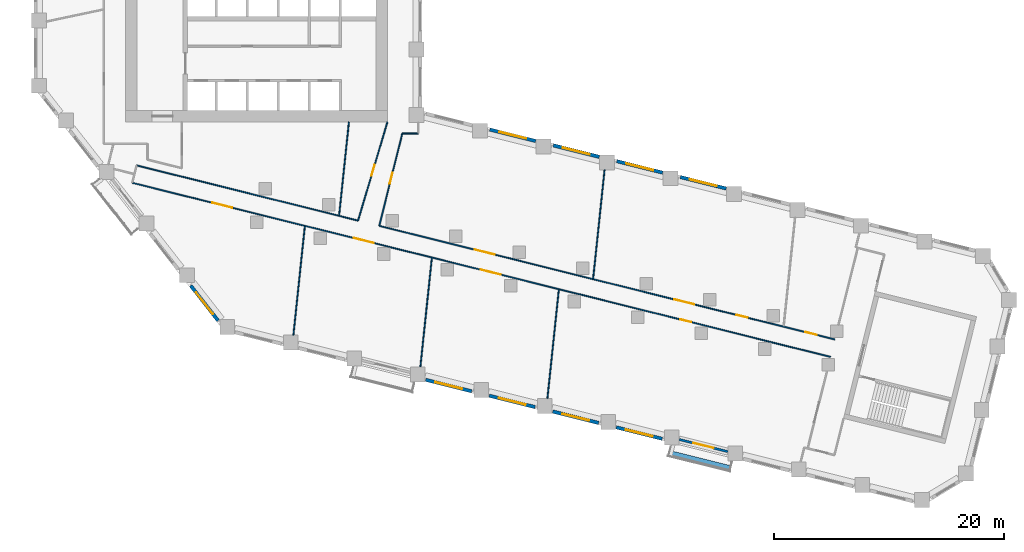
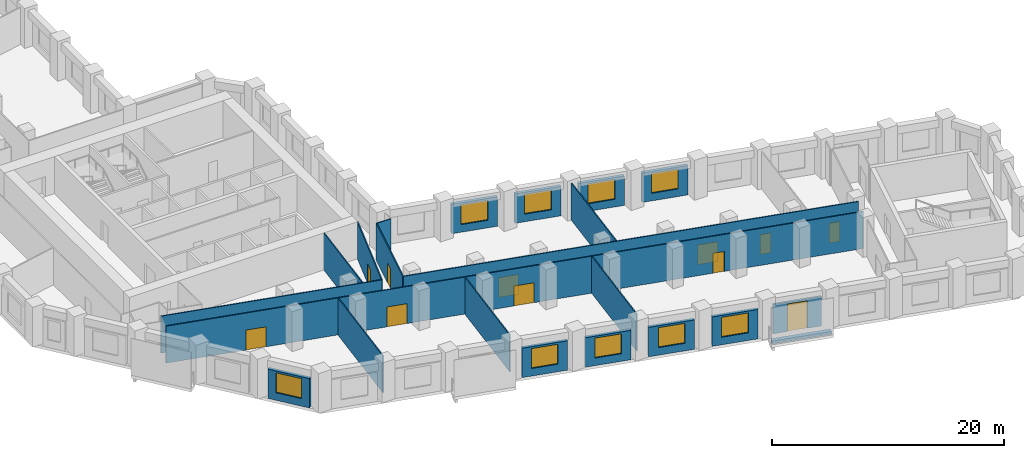
# One storey, part 3 of 11: 22 walls, 11 doors, 9 windows, 20 openings.
"""IFC4 building model written with IfcOpenShell, lengths in metres."""

from ifc_helpers import new_model, si_unit, direction, frame, frame_2d, origin, place, context, subcontext, project, spatial, rectangle, extrude, material, layer, layer_set, type_object, element, fill, save


model = new_model("IFC4")

# Units and contexts
model_context = context("Model", 3, precision=1e-05, world=origin(), true_north=direction((0.0, 1.0)))
body_context = subcontext(model_context, "Body", "Model", "MODEL_VIEW")
ifc_project = project(units=[si_unit("LENGTHUNIT", "METRE"), si_unit("AREAUNIT", "SQUARE_METRE"), si_unit("VOLUMEUNIT", "CUBIC_METRE"), si_unit("PLANEANGLEUNIT", "RADIAN"), si_unit("MASSUNIT", "GRAM", prefix="KILO")], contexts=[model_context])

# Site, building, storey
site_placement = place(None, origin())
site = spatial("IfcSite", under=ifc_project, at=site_placement, CompositionType="ELEMENT")
building_placement = place(site_placement, origin())
building = spatial("IfcBuilding", under=site, at=building_placement, Name="Meshkara Civic Tower", CompositionType="ELEMENT")
storey_placement = place(building_placement, frame((0.0, 0.0, 143.39990234375)))
storey = spatial("IfcBuildingStorey", under=building, at=storey_placement, Name="L32", CompositionType="ELEMENT", Elevation=143.39990234375)

# Wall, openings, doors
ifc_material_1 = material(Name="Corridor wall 100")
ifc_layer_1 = layer(ifc_material_1, 0.10009765625)
ifc_layer_set_1 = layer_set([ifc_layer_1], Name="Corridor wall 100")
wall_type_1 = type_object("IfcWallType", Name="Corridor wall 100", PredefinedType="PARTITIONING", material=ifc_layer_set_1)
wall_1_placement = place(storey_placement, frame((8.5791015625, 8.802978515625, 0.0), z_axis=(0.0, 0.0, 1.0), x_axis=(0.970298569476, -0.241910491863, 0.0)))
wall_1 = element("IfcWall", 1, at=wall_1_placement, inside=storey, type_object=wall_type_1, Name="L32-W006", PredefinedType="PARTITIONING", context=body_context, shape_type="SweptSolid", body=[
    extrude(rectangle(XDim=62.675537109375, YDim=0.10009765625, at=frame_2d((31.337890625, 0.0))), origin(), (0.0, 0.0, 1.0), 3.900146484375),
])
opening_1_placement = place(wall_1_placement, frame((49.173095703125, 0.0, 0.0)))
opening_1 = element("IfcOpeningElement", 2, at=opening_1_placement, cuts=wall_1, Name="Opening L32-D004", PredefinedType="OPENING", context=body_context, shape_type="SweptSolid", body=[
    extrude(rectangle(XDim=1.0, YDim=2.10009765625, at=frame_2d((0.5, 1.050048828125))), frame((0.0, 0.06005859375, 0.0), z_axis=(0.0, -1.0, 0.0), x_axis=(1.0, 0.0, 0.0)), (0.0, 0.0, 1.0), 0.1201171875),
])
opening_2_placement = place(wall_1_placement, frame((19.873046875, 0.0, 0.0)))
opening_2 = element("IfcOpeningElement", 3, at=opening_2_placement, cuts=wall_1, Name="Opening L32-D007", PredefinedType="OPENING", context=body_context, shape_type="SweptSolid", body=[
    extrude(rectangle(XDim=1.800048828125, YDim=2.10009765625, at=frame_2d((0.89990234375, 1.050048828125))), frame((0.0, 0.06005859375, 0.0), z_axis=(0.0, -1.0, 0.0), x_axis=(1.0, 0.0, 0.0)), (0.0, 0.0, 1.0), 0.1201171875),
])
opening_3_placement = place(wall_1_placement, frame((31.27294921875, 0.0, 0.0)))
opening_3 = element("IfcOpeningElement", 4, at=opening_3_placement, cuts=wall_1, Name="Opening L32-D009", PredefinedType="OPENING", context=body_context, shape_type="SweptSolid", body=[
    extrude(rectangle(XDim=1.800048828125, YDim=2.10009765625, at=frame_2d((0.89990234375, 1.050048828125))), frame((0.0, 0.06005859375, 0.0), z_axis=(0.0, -1.0, 0.0), x_axis=(1.0, 0.0, 0.0)), (0.0, 0.0, 1.0), 0.1201171875),
])
opening_4_placement = place(wall_1_placement, frame((7.179931640625, 0.0, 0.0)))
opening_4 = element("IfcOpeningElement", 5, at=opening_4_placement, cuts=wall_1, Name="Opening L32-D011", PredefinedType="OPENING", context=body_context, shape_type="SweptSolid", body=[
    extrude(rectangle(XDim=1.800048828125, YDim=2.10009765625, at=frame_2d((0.89990234375, 1.050048828125))), frame((0.0, 0.06005859375, 0.0), z_axis=(0.0, -1.0, 0.0), x_axis=(1.0, 0.0, 0.0)), (0.0, 0.0, 1.0), 0.1201171875),
])
ifc_material_2 = material(Name="Door 1000 x 2100")
door_type_1 = type_object("IfcDoorType", Name="Door 1000 x 2100", OperationType="SINGLE_SWING_LEFT", PredefinedType="DOOR", material=ifc_material_2)
door_1_placement = place(opening_1_placement, origin())
door_1 = element("IfcDoor", 6, at=door_1_placement, inside=storey, type_object=door_type_1, Name="L32-D004", OperationType="SINGLE_SWING_RIGHT", OverallHeight=2.10009765625, OverallWidth=1.0, PredefinedType="DOOR", context=body_context, shape_type="SweptSolid", body=[
    extrude(rectangle(XDim=1.0, YDim=2.10009765625, at=frame_2d((0.5, 1.050048828125))), frame((0.0, 0.02490234375, 0.0), z_axis=(0.0, -1.0, 0.0), x_axis=(1.0, 0.0, 0.0)), (0.0, 0.0, 1.0), 0.050048828125),
])
fill(opening_1, door_1)
ifc_material_3 = material(Name="Door pair 1800 x 2100")
door_type_2 = type_object("IfcDoorType", Name="Door pair 1800 x 2100", OperationType="SINGLE_SWING_LEFT", PredefinedType="DOOR", material=ifc_material_3)
door_2_placement = place(opening_2_placement, origin())
door_2 = element("IfcDoor", 7, at=door_2_placement, inside=storey, type_object=door_type_2, Name="L32-D007", OperationType="DOUBLE_DOOR_SINGLE_SWING", OverallHeight=2.10009765625, OverallWidth=1.800048828125, PredefinedType="DOOR", context=body_context, shape_type="SweptSolid", body=[
    extrude(rectangle(XDim=1.800048828125, YDim=2.10009765625, at=frame_2d((0.89990234375, 1.050048828125))), frame((0.0, 0.02490234375, 0.0), z_axis=(0.0, -1.0, 0.0), x_axis=(1.0, 0.0, 0.0)), (0.0, 0.0, 1.0), 0.050048828125),
])
fill(opening_2, door_2)
door_3_placement = place(opening_3_placement, origin())
door_3 = element("IfcDoor", 8, at=door_3_placement, inside=storey, type_object=door_type_2, Name="L32-D009", OperationType="DOUBLE_DOOR_SINGLE_SWING", OverallHeight=2.10009765625, OverallWidth=1.800048828125, PredefinedType="DOOR", context=body_context, shape_type="SweptSolid", body=[
    extrude(rectangle(XDim=1.800048828125, YDim=2.10009765625, at=frame_2d((0.89990234375, 1.050048828125))), frame((0.0, 0.02490234375, 0.0), z_axis=(0.0, -1.0, 0.0), x_axis=(1.0, 0.0, 0.0)), (0.0, 0.0, 1.0), 0.050048828125),
])
fill(opening_3, door_3)
door_4_placement = place(opening_4_placement, origin())
door_4 = element("IfcDoor", 9, at=door_4_placement, inside=storey, type_object=door_type_2, Name="L32-D011", OperationType="DOUBLE_DOOR_SINGLE_SWING", OverallHeight=2.10009765625, OverallWidth=1.800048828125, PredefinedType="DOOR", context=body_context, shape_type="SweptSolid", body=[
    extrude(rectangle(XDim=1.800048828125, YDim=2.10009765625, at=frame_2d((0.89990234375, 1.050048828125))), frame((0.0, 0.02490234375, 0.0), z_axis=(0.0, -1.0, 0.0), x_axis=(1.0, 0.0, 0.0)), (0.0, 0.0, 1.0), 0.050048828125),
])
fill(opening_4, door_4)

# Wall
wall_2_placement = place(storey_placement, frame((8.9580078125, 10.322998046875, 0.0), z_axis=(0.0, 0.0, 1.0), x_axis=(0.970298340477, -0.241911410372, 0.0)))
element("IfcWall", 10, at=wall_2_placement, inside=storey, type_object=wall_type_1, Name="L32-W007", PredefinedType="PARTITIONING", context=body_context, shape_type="SweptSolid", body=[
    extrude(rectangle(XDim=19.879638671875, YDim=0.10009765625, at=frame_2d((9.93994140625, 0.0))), origin(), (0.0, 0.0, 1.0), 3.900146484375),
])

# Wall, openings, doors
wall_3_placement = place(storey_placement, frame((30.091064453125, 5.053955078125, 0.0), z_axis=(0.0, 0.0, 1.0), x_axis=(0.970297171036, -0.24191610091, 0.0)))
wall_3 = element("IfcWall", 11, at=wall_3_placement, inside=storey, type_object=wall_type_1, Name="L32-W020", PredefinedType="PARTITIONING", context=body_context, shape_type="SweptSolid", body=[
    extrude(rectangle(XDim=40.89453125, YDim=0.10009765625, at=frame_2d((20.447265625, 0.0))), origin(), (0.0, 0.0, 1.0), 3.900146484375),
])
opening_5_placement = place(wall_3_placement, frame((26.462890625, 0.0, 0.0)))
opening_5 = element("IfcOpeningElement", 12, at=opening_5_placement, cuts=wall_3, Name="Opening L32-D003", PredefinedType="OPENING", context=body_context, shape_type="SweptSolid", body=[
    extrude(rectangle(XDim=1.800048828125, YDim=2.10009765625, at=frame_2d((0.89990234375, 1.050048828125))), frame((0.0, 0.06005859375, 0.0), z_axis=(0.0, -1.0, 0.0), x_axis=(1.0, 0.0, 0.0)), (0.0, 0.0, 1.0), 0.1201171875),
])
opening_6_placement = place(wall_3_placement, frame((32.06298828125, 0.0, 0.0)))
opening_6 = element("IfcOpeningElement", 13, at=opening_6_placement, cuts=wall_3, Name="Opening L32-D005", PredefinedType="OPENING", context=body_context, shape_type="SweptSolid", body=[
    extrude(rectangle(XDim=1.0, YDim=2.10009765625, at=frame_2d((0.5, 1.050048828125))), frame((0.0, 0.06005859375, 0.0), z_axis=(0.0, -1.0, 0.0), x_axis=(1.0, 0.0, 0.0)), (0.0, 0.0, 1.0), 0.1201171875),
])
opening_7_placement = place(wall_3_placement, frame((38.262939453125, 0.0, 0.0)))
opening_7 = element("IfcOpeningElement", 14, at=opening_7_placement, cuts=wall_3, Name="Opening L32-D006", PredefinedType="OPENING", context=body_context, shape_type="SweptSolid", body=[
    extrude(rectangle(XDim=1.0, YDim=2.10009765625, at=frame_2d((0.5, 1.050048828125))), frame((0.0, 0.06005859375, 0.0), z_axis=(0.0, -1.0, 0.0), x_axis=(1.0, 0.0, 0.0)), (0.0, 0.0, 1.0), 0.1201171875),
])
opening_8_placement = place(wall_3_placement, frame((8.580078125, 0.0, 0.0)))
opening_8 = element("IfcOpeningElement", 15, at=opening_8_placement, cuts=wall_3, Name="Opening L32-D008", PredefinedType="OPENING", context=body_context, shape_type="SweptSolid", body=[
    extrude(rectangle(XDim=1.800048828125, YDim=2.10009765625, at=frame_2d((0.89990234375, 1.050048828125))), frame((0.0, 0.06005859375, 0.0), z_axis=(0.0, -1.0, 0.0), x_axis=(1.0, 0.0, 0.0)), (0.0, 0.0, 1.0), 0.1201171875),
])
door_5_placement = place(opening_6_placement, origin())
door_5 = element("IfcDoor", 16, at=door_5_placement, inside=storey, type_object=door_type_1, Name="L32-D005", OperationType="SINGLE_SWING_RIGHT", OverallHeight=2.10009765625, OverallWidth=1.0, PredefinedType="DOOR", context=body_context, shape_type="SweptSolid", body=[
    extrude(rectangle(XDim=1.0, YDim=2.10009765625, at=frame_2d((0.5, 1.050048828125))), frame((0.0, 0.02490234375, 0.0), z_axis=(0.0, -1.0, 0.0), x_axis=(1.0, 0.0, 0.0)), (0.0, 0.0, 1.0), 0.050048828125),
])
fill(opening_6, door_5)
door_6_placement = place(opening_7_placement, origin())
door_6 = element("IfcDoor", 17, at=door_6_placement, inside=storey, type_object=door_type_1, Name="L32-D006", OperationType="SINGLE_SWING_RIGHT", OverallHeight=2.10009765625, OverallWidth=1.0, PredefinedType="DOOR", context=body_context, shape_type="SweptSolid", body=[
    extrude(rectangle(XDim=1.0, YDim=2.10009765625, at=frame_2d((0.5, 1.050048828125))), frame((0.0, 0.02490234375, 0.0), z_axis=(0.0, -1.0, 0.0), x_axis=(1.0, 0.0, 0.0)), (0.0, 0.0, 1.0), 0.050048828125),
])
fill(opening_7, door_6)
door_7_placement = place(opening_5_placement, origin())
door_7 = element("IfcDoor", 18, at=door_7_placement, inside=storey, type_object=door_type_2, Name="L32-D003", OperationType="DOUBLE_DOOR_SINGLE_SWING", OverallHeight=2.10009765625, OverallWidth=1.800048828125, PredefinedType="DOOR", context=body_context, shape_type="SweptSolid", body=[
    extrude(rectangle(XDim=1.800048828125, YDim=2.10009765625, at=frame_2d((0.89990234375, 1.050048828125))), frame((0.0, 0.02490234375, 0.0), z_axis=(0.0, -1.0, 0.0), x_axis=(1.0, 0.0, 0.0)), (0.0, 0.0, 1.0), 0.050048828125),
])
fill(opening_5, door_7)
door_8_placement = place(opening_8_placement, origin())
door_8 = element("IfcDoor", 19, at=door_8_placement, inside=storey, type_object=door_type_2, Name="L32-D008", OperationType="DOUBLE_DOOR_SINGLE_SWING", OverallHeight=2.10009765625, OverallWidth=1.800048828125, PredefinedType="DOOR", context=body_context, shape_type="SweptSolid", body=[
    extrude(rectangle(XDim=1.800048828125, YDim=2.10009765625, at=frame_2d((0.89990234375, 1.050048828125))), frame((0.0, 0.02490234375, 0.0), z_axis=(0.0, -1.0, 0.0), x_axis=(1.0, 0.0, 0.0)), (0.0, 0.0, 1.0), 0.050048828125),
])
fill(opening_8, door_8)

# Wall, opening, door
wall_4_placement = place(storey_placement, frame((30.091064453125, 5.053955078125, 0.0), z_axis=(0.0, 0.0, 1.0), x_axis=(0.241891322374, 0.970303348526, 0.0)))
wall_4 = element("IfcWall", 20, at=wall_4_placement, inside=storey, type_object=wall_type_1, Name="L32-W021", PredefinedType="PARTITIONING", context=body_context, shape_type="SweptSolid", body=[
    extrude(rectangle(XDim=8.29248046875, YDim=0.10009765625, at=frame_2d((4.146240234375, 0.0))), origin(), (0.0, 0.0, 1.0), 3.900146484375),
])
opening_9_placement = place(wall_4_placement, frame((3.780029296875, 0.0, 0.0)))
opening_9 = element("IfcOpeningElement", 21, at=opening_9_placement, cuts=wall_4, Name="Opening L32-D013", PredefinedType="OPENING", context=body_context, shape_type="SweptSolid", body=[
    extrude(rectangle(XDim=1.0, YDim=2.10009765625, at=frame_2d((0.5, 1.050048828125))), frame((0.0, 0.06005859375, 0.0), z_axis=(0.0, -1.0, 0.0), x_axis=(1.0, 0.0, 0.0)), (0.0, 0.0, 1.0), 0.1201171875),
])
door_9_placement = place(opening_9_placement, origin())
door_9 = element("IfcDoor", 22, at=door_9_placement, inside=storey, type_object=door_type_1, Name="L32-D013", OperationType="SINGLE_SWING_LEFT", OverallHeight=2.10009765625, OverallWidth=1.0, PredefinedType="DOOR", context=body_context, shape_type="SweptSolid", body=[
    extrude(rectangle(XDim=1.0, YDim=2.10009765625, at=frame_2d((0.5, 1.050048828125))), frame((0.0, 0.02490234375, 0.0), z_axis=(0.0, -1.0, 0.0), x_axis=(1.0, 0.0, 0.0)), (0.0, 0.0, 1.0), 0.050048828125),
])
fill(opening_9, door_9)

wall_5_placement = place(storey_placement, frame((30.800048828125, 14.10009765625, 0.0), z_axis=(0.0, 0.0, 1.0), x_axis=(-0.285004107837, -0.958526295162, 0.0)))
wall_5 = element("IfcWall", 23, at=wall_5_placement, inside=storey, type_object=wall_type_1, Name="L32-W022", PredefinedType="PARTITIONING", context=body_context, shape_type="SweptSolid", body=[
    extrude(rectangle(XDim=8.957763671875, YDim=0.10009765625, at=frame_2d((4.47900390625, 0.0))), origin(), (0.0, 0.0, 1.0), 3.900146484375),
])
opening_10_placement = place(wall_5_placement, frame((3.8798828125, 0.0, 0.0)))
opening_10 = element("IfcOpeningElement", 24, at=opening_10_placement, cuts=wall_5, Name="Opening L32-D012", PredefinedType="OPENING", context=body_context, shape_type="SweptSolid", body=[
    extrude(rectangle(XDim=1.0, YDim=2.10009765625, at=frame_2d((0.5, 1.050048828125))), frame((0.0, 0.06005859375, 0.0), z_axis=(0.0, -1.0, 0.0), x_axis=(1.0, 0.0, 0.0)), (0.0, 0.0, 1.0), 0.1201171875),
])
door_10_placement = place(opening_10_placement, origin())
door_10 = element("IfcDoor", 25, at=door_10_placement, inside=storey, type_object=door_type_1, Name="L32-D012", OperationType="SINGLE_SWING_RIGHT", OverallHeight=2.10009765625, OverallWidth=1.0, PredefinedType="DOOR", context=body_context, shape_type="SweptSolid", body=[
    extrude(rectangle(XDim=1.0, YDim=2.10009765625, at=frame_2d((0.5, 1.050048828125))), frame((0.0, 0.02490234375, 0.0), z_axis=(0.0, -1.0, 0.0), x_axis=(1.0, 0.0, 0.0)), (0.0, 0.0, 1.0), 0.050048828125),
])
fill(opening_10, door_10)

# Wall
wall_6_placement = place(storey_placement, frame((32.096923828125, 13.10009765625, 0.0), z_axis=(0.0, 0.0, 1.0), x_axis=(1.0, 0.0, 0.0)))
element("IfcWall", 26, at=wall_6_placement, inside=storey, type_object=wall_type_1, Name="L32-W023", PredefinedType="PARTITIONING", context=body_context, shape_type="SweptSolid", body=[
    extrude(rectangle(XDim=1.403076171875, YDim=0.10009765625, at=frame_2d((0.70166015625, 0.0))), origin(), (0.0, 0.0, 1.0), 3.900146484375),
])

# Wall, opening, window
ifc_material_4 = material(Name="Insulated infill panel with bronze anodised aluminium cladding", Category="aluminium")
ifc_layer_2 = layer(ifc_material_4, 0.300048828125)
ifc_layer_set_2 = layer_set([ifc_layer_2], Name="EXTERNAL INFILL WALL 300")
wall_type_2 = type_object("IfcWallType", Name="EXTERNAL INFILL WALL 300", PredefinedType="SOLIDWALL", material=ifc_layer_set_2)
wall_7_placement = place(storey_placement, frame((60.31103515625, 8.305908203125, 0.0), z_axis=(0.0, 0.0, 1.0), x_axis=(-0.970267747908, 0.242034083076, 0.0)))
wall_7 = element("IfcWall", 27, at=wall_7_placement, inside=storey, type_object=wall_type_2, Name="External wall", PredefinedType="SOLIDWALL", context=body_context, shape_type="SweptSolid", body=[
    extrude(rectangle(XDim=4.12353515625, YDim=0.300048828125, at=frame_2d((2.061767578125, 0.0))), origin(), (0.0, 0.0, 1.0), 3.10009765625),
])
opening_11_placement = place(wall_7_placement, frame((0.862060546875, 0.0, 0.800048828125)))
opening_11 = element("IfcOpeningElement", 28, at=opening_11_placement, cuts=wall_7, Name="Opening W7", PredefinedType="OPENING", context=body_context, shape_type="SweptSolid", body=[
    extrude(rectangle(XDim=2.39990234375, YDim=2.10009765625, at=frame_2d((1.199951171875, 1.050048828125))), frame((0.0, 0.159912109375, 0.0), z_axis=(0.0, -1.0, 0.0), x_axis=(1.0, 0.0, 0.0)), (0.0, 0.0, 1.0), 0.320068359375),
])
ifc_material_5 = material(Name="Tinted double glazing", Category="glass")
window_type = type_object("IfcWindowType", Name="WINDOW 2400x2100", PartitioningType="DOUBLE_PANEL_VERTICAL", PredefinedType="WINDOW", material=ifc_material_5)
window_1_placement = place(opening_11_placement, origin())
window_1 = element("IfcWindow", 29, at=window_1_placement, inside=storey, type_object=window_type, Name="Window", OverallHeight=2.10009765625, OverallWidth=2.39990234375, PartitioningType="DOUBLE_PANEL_VERTICAL", PredefinedType="WINDOW", context=body_context, shape_type="SweptSolid", body=[
    extrude(rectangle(XDim=2.39990234375, YDim=2.10009765625, at=frame_2d((1.199951171875, 1.050048828125))), frame((0.0, 0.030029296875, 0.0), z_axis=(0.0, -1.0, 0.0), x_axis=(1.0, 0.0, 0.0)), (0.0, 0.0, 1.0), 0.06005859375),
])
fill(opening_11, window_1)

wall_8_placement = place(storey_placement, frame((54.781005859375, 9.68505859375, 0.0), z_axis=(0.0, 0.0, 1.0), x_axis=(-0.970281616392, 0.241978480223, 0.0)))
wall_8 = element("IfcWall", 30, at=wall_8_placement, inside=storey, type_object=wall_type_2, Name="External wall", PredefinedType="SOLIDWALL", context=body_context, shape_type="SweptSolid", body=[
    extrude(rectangle(XDim=4.12451171875, YDim=0.300048828125, at=frame_2d((2.062255859375, 0.0))), origin(), (0.0, 0.0, 1.0), 3.10009765625),
])
opening_12_placement = place(wall_8_placement, frame((0.862060546875, 0.0, 0.800048828125)))
opening_12 = element("IfcOpeningElement", 31, at=opening_12_placement, cuts=wall_8, Name="Opening W7", PredefinedType="OPENING", context=body_context, shape_type="SweptSolid", body=[
    extrude(rectangle(XDim=2.39990234375, YDim=2.10009765625, at=frame_2d((1.199951171875, 1.050048828125))), frame((0.0, 0.159912109375, 0.0), z_axis=(0.0, -1.0, 0.0), x_axis=(1.0, 0.0, 0.0)), (0.0, 0.0, 1.0), 0.320068359375),
])
window_2_placement = place(opening_12_placement, origin())
window_2 = element("IfcWindow", 32, at=window_2_placement, inside=storey, type_object=window_type, Name="Window", OverallHeight=2.10009765625, OverallWidth=2.39990234375, PartitioningType="DOUBLE_PANEL_VERTICAL", PredefinedType="WINDOW", context=body_context, shape_type="SweptSolid", body=[
    extrude(rectangle(XDim=2.39990234375, YDim=2.10009765625, at=frame_2d((1.199951171875, 1.050048828125))), frame((0.0, 0.030029296875, 0.0), z_axis=(0.0, -1.0, 0.0), x_axis=(1.0, 0.0, 0.0)), (0.0, 0.0, 1.0), 0.06005859375),
])
fill(opening_12, window_2)

wall_9_placement = place(storey_placement, frame((49.25, 11.06396484375, 0.0), z_axis=(0.0, 0.0, 1.0), x_axis=(-0.970281616392, 0.241978480223, 0.0)))
wall_9 = element("IfcWall", 33, at=wall_9_placement, inside=storey, type_object=wall_type_2, Name="External wall", PredefinedType="SOLIDWALL", context=body_context, shape_type="SweptSolid", body=[
    extrude(rectangle(XDim=4.12451171875, YDim=0.300048828125, at=frame_2d((2.062255859375, 0.0))), origin(), (0.0, 0.0, 1.0), 3.10009765625),
])
opening_13_placement = place(wall_9_placement, frame((0.862060546875, 0.0, 0.800048828125)))
opening_13 = element("IfcOpeningElement", 34, at=opening_13_placement, cuts=wall_9, Name="Opening W7", PredefinedType="OPENING", context=body_context, shape_type="SweptSolid", body=[
    extrude(rectangle(XDim=2.39990234375, YDim=2.10009765625, at=frame_2d((1.199951171875, 1.050048828125))), frame((0.0, 0.159912109375, 0.0), z_axis=(0.0, -1.0, 0.0), x_axis=(1.0, 0.0, 0.0)), (0.0, 0.0, 1.0), 0.320068359375),
])
window_3_placement = place(opening_13_placement, origin())
window_3 = element("IfcWindow", 35, at=window_3_placement, inside=storey, type_object=window_type, Name="Window", OverallHeight=2.10009765625, OverallWidth=2.39990234375, PartitioningType="DOUBLE_PANEL_VERTICAL", PredefinedType="WINDOW", context=body_context, shape_type="SweptSolid", body=[
    extrude(rectangle(XDim=2.39990234375, YDim=2.10009765625, at=frame_2d((1.199951171875, 1.050048828125))), frame((0.0, 0.030029296875, 0.0), z_axis=(0.0, -1.0, 0.0), x_axis=(1.0, 0.0, 0.0)), (0.0, 0.0, 1.0), 0.06005859375),
])
fill(opening_13, window_3)

wall_10_placement = place(storey_placement, frame((43.718994140625, 12.443115234375, 0.0), z_axis=(0.0, 0.0, 1.0), x_axis=(-0.970281650314, 0.241978344205, 0.0)))
wall_10 = element("IfcWall", 36, at=wall_10_placement, inside=storey, type_object=wall_type_2, Name="External wall", PredefinedType="SOLIDWALL", context=body_context, shape_type="SweptSolid", body=[
    extrude(rectangle(XDim=4.12353515625, YDim=0.300048828125, at=frame_2d((2.061767578125, 0.0))), origin(), (0.0, 0.0, 1.0), 3.10009765625),
])
opening_14_placement = place(wall_10_placement, frame((0.862060546875, 0.0, 0.800048828125)))
opening_14 = element("IfcOpeningElement", 37, at=opening_14_placement, cuts=wall_10, Name="Opening W7", PredefinedType="OPENING", context=body_context, shape_type="SweptSolid", body=[
    extrude(rectangle(XDim=2.39990234375, YDim=2.10009765625, at=frame_2d((1.199951171875, 1.050048828125))), frame((0.0, 0.159912109375, 0.0), z_axis=(0.0, -1.0, 0.0), x_axis=(1.0, 0.0, 0.0)), (0.0, 0.0, 1.0), 0.320068359375),
])
window_4_placement = place(opening_14_placement, origin())
window_4 = element("IfcWindow", 38, at=window_4_placement, inside=storey, type_object=window_type, Name="Window", OverallHeight=2.10009765625, OverallWidth=2.39990234375, PartitioningType="DOUBLE_PANEL_VERTICAL", PredefinedType="WINDOW", context=body_context, shape_type="SweptSolid", body=[
    extrude(rectangle(XDim=2.39990234375, YDim=2.10009765625, at=frame_2d((1.199951171875, 1.050048828125))), frame((0.0, 0.030029296875, 0.0), z_axis=(0.0, -1.0, 0.0), x_axis=(1.0, 0.0, 0.0)), (0.0, 0.0, 1.0), 0.06005859375),
])
fill(opening_14, window_4)

wall_11_placement = place(storey_placement, frame((13.6669921875, -0.14990234375, 0.0), z_axis=(0.0, 0.0, 1.0), x_axis=(0.615626928003, -0.788037743714, 0.0)))
wall_11 = element("IfcWall", 39, at=wall_11_placement, inside=storey, type_object=wall_type_2, Name="External wall", PredefinedType="SOLIDWALL", context=body_context, shape_type="SweptSolid", body=[
    extrude(rectangle(XDim=3.875732421875, YDim=0.300048828125, at=frame_2d((1.93798828125, 0.0))), origin(), (0.0, 0.0, 1.0), 3.10009765625),
])
opening_15_placement = place(wall_11_placement, frame((0.738037109375, 0.0, 0.800048828125)))
opening_15 = element("IfcOpeningElement", 40, at=opening_15_placement, cuts=wall_11, Name="Opening W7", PredefinedType="OPENING", context=body_context, shape_type="SweptSolid", body=[
    extrude(rectangle(XDim=2.39990234375, YDim=2.10009765625, at=frame_2d((1.199951171875, 1.050048828125))), frame((0.0, 0.159912109375, 0.0), z_axis=(0.0, -1.0, 0.0), x_axis=(1.0, 0.0, 0.0)), (0.0, 0.0, 1.0), 0.320068359375),
])
window_5_placement = place(opening_15_placement, origin())
window_5 = element("IfcWindow", 41, at=window_5_placement, inside=storey, type_object=window_type, Name="Window", OverallHeight=2.10009765625, OverallWidth=2.39990234375, PartitioningType="DOUBLE_PANEL_VERTICAL", PredefinedType="WINDOW", context=body_context, shape_type="SweptSolid", body=[
    extrude(rectangle(XDim=2.39990234375, YDim=2.10009765625, at=frame_2d((1.199951171875, 1.050048828125))), frame((0.0, 0.030029296875, 0.0), z_axis=(0.0, -1.0, 0.0), x_axis=(1.0, 0.0, 0.0)), (0.0, 0.0, 1.0), 0.06005859375),
])
fill(opening_15, window_5)

wall_12_placement = place(storey_placement, frame((34.135009765625, -8.35595703125, 0.0), z_axis=(0.0, 0.0, 1.0), x_axis=(0.970281616392, -0.241978480223, 0.0)))
wall_12 = element("IfcWall", 42, at=wall_12_placement, inside=storey, type_object=wall_type_2, Name="External wall", PredefinedType="SOLIDWALL", context=body_context, shape_type="SweptSolid", body=[
    extrude(rectangle(XDim=4.12451171875, YDim=0.300048828125, at=frame_2d((2.062255859375, 0.0))), origin(), (0.0, 0.0, 1.0), 3.10009765625),
])
opening_16_placement = place(wall_12_placement, frame((0.862060546875, 0.0, 0.800048828125)))
opening_16 = element("IfcOpeningElement", 43, at=opening_16_placement, cuts=wall_12, Name="Opening W7", PredefinedType="OPENING", context=body_context, shape_type="SweptSolid", body=[
    extrude(rectangle(XDim=2.39990234375, YDim=2.10009765625, at=frame_2d((1.199951171875, 1.050048828125))), frame((0.0, 0.159912109375, 0.0), z_axis=(0.0, -1.0, 0.0), x_axis=(1.0, 0.0, 0.0)), (0.0, 0.0, 1.0), 0.320068359375),
])
window_6_placement = place(opening_16_placement, origin())
window_6 = element("IfcWindow", 44, at=window_6_placement, inside=storey, type_object=window_type, Name="Window", OverallHeight=2.10009765625, OverallWidth=2.39990234375, PartitioningType="DOUBLE_PANEL_VERTICAL", PredefinedType="WINDOW", context=body_context, shape_type="SweptSolid", body=[
    extrude(rectangle(XDim=2.39990234375, YDim=2.10009765625, at=frame_2d((1.199951171875, 1.050048828125))), frame((0.0, 0.030029296875, 0.0), z_axis=(0.0, -1.0, 0.0), x_axis=(1.0, 0.0, 0.0)), (0.0, 0.0, 1.0), 0.06005859375),
])
fill(opening_16, window_6)

wall_13_placement = place(storey_placement, frame((39.666015625, -9.735107421875, 0.0), z_axis=(0.0, 0.0, 1.0), x_axis=(0.97029551261, -0.241922752565, 0.0)))
wall_13 = element("IfcWall", 45, at=wall_13_placement, inside=storey, type_object=wall_type_2, Name="External wall", PredefinedType="SOLIDWALL", context=body_context, shape_type="SweptSolid", body=[
    extrude(rectangle(XDim=4.12451171875, YDim=0.300048828125, at=frame_2d((2.062255859375, 0.0))), origin(), (0.0, 0.0, 1.0), 3.10009765625),
])
opening_17_placement = place(wall_13_placement, frame((0.862060546875, 0.0, 0.800048828125)))
opening_17 = element("IfcOpeningElement", 46, at=opening_17_placement, cuts=wall_13, Name="Opening W7", PredefinedType="OPENING", context=body_context, shape_type="SweptSolid", body=[
    extrude(rectangle(XDim=2.39990234375, YDim=2.10009765625, at=frame_2d((1.199951171875, 1.050048828125))), frame((0.0, 0.159912109375, 0.0), z_axis=(0.0, -1.0, 0.0), x_axis=(1.0, 0.0, 0.0)), (0.0, 0.0, 1.0), 0.320068359375),
])
window_7_placement = place(opening_17_placement, origin())
window_7 = element("IfcWindow", 47, at=window_7_placement, inside=storey, type_object=window_type, Name="Window", OverallHeight=2.10009765625, OverallWidth=2.39990234375, PartitioningType="DOUBLE_PANEL_VERTICAL", PredefinedType="WINDOW", context=body_context, shape_type="SweptSolid", body=[
    extrude(rectangle(XDim=2.39990234375, YDim=2.10009765625, at=frame_2d((1.199951171875, 1.050048828125))), frame((0.0, 0.030029296875, 0.0), z_axis=(0.0, -1.0, 0.0), x_axis=(1.0, 0.0, 0.0)), (0.0, 0.0, 1.0), 0.06005859375),
])
fill(opening_17, window_7)

wall_14_placement = place(storey_placement, frame((45.197021484375, -11.114013671875, 0.0), z_axis=(0.0, 0.0, 1.0), x_axis=(0.970267747908, -0.242034083076, 0.0)))
wall_14 = element("IfcWall", 48, at=wall_14_placement, inside=storey, type_object=wall_type_2, Name="External wall", PredefinedType="SOLIDWALL", context=body_context, shape_type="SweptSolid", body=[
    extrude(rectangle(XDim=4.12353515625, YDim=0.300048828125, at=frame_2d((2.061767578125, 0.0))), origin(), (0.0, 0.0, 1.0), 3.10009765625),
])
opening_18_placement = place(wall_14_placement, frame((0.862060546875, 0.0, 0.800048828125)))
opening_18 = element("IfcOpeningElement", 49, at=opening_18_placement, cuts=wall_14, Name="Opening W7", PredefinedType="OPENING", context=body_context, shape_type="SweptSolid", body=[
    extrude(rectangle(XDim=2.39990234375, YDim=2.10009765625, at=frame_2d((1.199951171875, 1.050048828125))), frame((0.0, 0.159912109375, 0.0), z_axis=(0.0, -1.0, 0.0), x_axis=(1.0, 0.0, 0.0)), (0.0, 0.0, 1.0), 0.320068359375),
])
window_8_placement = place(opening_18_placement, origin())
window_8 = element("IfcWindow", 50, at=window_8_placement, inside=storey, type_object=window_type, Name="Window", OverallHeight=2.10009765625, OverallWidth=2.39990234375, PartitioningType="DOUBLE_PANEL_VERTICAL", PredefinedType="WINDOW", context=body_context, shape_type="SweptSolid", body=[
    extrude(rectangle(XDim=2.39990234375, YDim=2.10009765625, at=frame_2d((1.199951171875, 1.050048828125))), frame((0.0, 0.030029296875, 0.0), z_axis=(0.0, -1.0, 0.0), x_axis=(1.0, 0.0, 0.0)), (0.0, 0.0, 1.0), 0.06005859375),
])
fill(opening_18, window_8)

wall_15_placement = place(storey_placement, frame((50.72705078125, -12.492919921875, 0.0), z_axis=(0.0, 0.0, 1.0), x_axis=(0.970281616392, -0.241978480223, 0.0)))
wall_15 = element("IfcWall", 51, at=wall_15_placement, inside=storey, type_object=wall_type_2, Name="External wall", PredefinedType="SOLIDWALL", context=body_context, shape_type="SweptSolid", body=[
    extrude(rectangle(XDim=4.12451171875, YDim=0.300048828125, at=frame_2d((2.062255859375, 0.0))), origin(), (0.0, 0.0, 1.0), 3.10009765625),
])
opening_19_placement = place(wall_15_placement, frame((0.862060546875, 0.0, 0.800048828125)))
opening_19 = element("IfcOpeningElement", 52, at=opening_19_placement, cuts=wall_15, Name="Opening W7", PredefinedType="OPENING", context=body_context, shape_type="SweptSolid", body=[
    extrude(rectangle(XDim=2.39990234375, YDim=2.10009765625, at=frame_2d((1.199951171875, 1.050048828125))), frame((0.0, 0.159912109375, 0.0), z_axis=(0.0, -1.0, 0.0), x_axis=(1.0, 0.0, 0.0)), (0.0, 0.0, 1.0), 0.320068359375),
])
window_9_placement = place(opening_19_placement, origin())
window_9 = element("IfcWindow", 53, at=window_9_placement, inside=storey, type_object=window_type, Name="Window", OverallHeight=2.10009765625, OverallWidth=2.39990234375, PartitioningType="DOUBLE_PANEL_VERTICAL", PredefinedType="WINDOW", context=body_context, shape_type="SweptSolid", body=[
    extrude(rectangle(XDim=2.39990234375, YDim=2.10009765625, at=frame_2d((1.199951171875, 1.050048828125))), frame((0.0, 0.030029296875, 0.0), z_axis=(0.0, -1.0, 0.0), x_axis=(1.0, 0.0, 0.0)), (0.0, 0.0, 1.0), 0.06005859375),
])
fill(opening_19, window_9)

# Wall, opening, door
ifc_material_6 = material(Name="Insulated infill panel with bronze anodised aluminium cladding", Category="aluminium")
ifc_layer_3 = layer(ifc_material_6, 0.199951171875)
ifc_layer_set_3 = layer_set([ifc_layer_3], Name="LOGGIA BACK WALL 200")
wall_type_3 = type_object("IfcWallType", Name="LOGGIA BACK WALL 200", PredefinedType="SOLIDWALL", material=ifc_layer_set_3)
wall_16_placement = place(storey_placement, frame((56.216064453125, -13.552001953125, 0.0), z_axis=(0.0, 0.0, 1.0), x_axis=(0.970293811216, -0.241929576357, 0.0)))
wall_16 = element("IfcWall", 54, at=wall_16_placement, inside=storey, type_object=wall_type_3, Name="Loggia wall", PredefinedType="SOLIDWALL", context=body_context, shape_type="SweptSolid", body=[
    extrude(rectangle(XDim=4.360595703125, YDim=0.199951171875, at=frame_2d((2.18017578125, 0.0))), origin(), (0.0, 0.0, 1.0), 3.10009765625),
])
opening_20_placement = place(wall_16_placement, frame((1.280029296875, 0.0, 0.0)))
opening_20 = element("IfcOpeningElement", 55, at=opening_20_placement, cuts=wall_16, Name="Opening L32-L005", PredefinedType="OPENING", context=body_context, shape_type="SweptSolid", body=[
    extrude(rectangle(XDim=1.800048828125, YDim=2.89990234375, at=frame_2d((0.89990234375, 1.449951171875))), frame((0.0, 0.10986328125, 0.0), z_axis=(0.0, -1.0, 0.0), x_axis=(1.0, 0.0, 0.0)), (0.0, 0.0, 1.0), 0.219970703125),
])
ifc_material_7 = material(Name="Tinted double glazing", Category="glass")
door_type_3 = type_object("IfcDoorType", Name="LOGGIA DOOR 1800x2900", OperationType="DOUBLE_DOOR_SINGLE_SWING", PredefinedType="DOOR", material=ifc_material_7)
door_11_placement = place(opening_20_placement, origin())
door_11 = element("IfcDoor", 56, at=door_11_placement, inside=storey, type_object=door_type_3, Name="L32-L005", OperationType="DOUBLE_DOOR_SINGLE_SWING", OverallHeight=2.89990234375, OverallWidth=1.800048828125, PredefinedType="DOOR", context=body_context, shape_type="SweptSolid", body=[
    extrude(rectangle(XDim=1.800048828125, YDim=2.89990234375, at=frame_2d((0.89990234375, 1.449951171875))), frame((0.0, 0.02490234375, 0.0), z_axis=(0.0, -1.0, 0.0), x_axis=(1.0, 0.0, 0.0)), (0.0, 0.0, 1.0), 0.050048828125),
])
fill(opening_20, door_11)

# Walls
ifc_material_8 = material(Name="Concrete C40", Category="concrete")
ifc_layer_4 = layer(ifc_material_8, 0.39990234375)
ifc_layer_set_4 = layer_set([ifc_layer_4], Name="PLANTER TRAY")
wall_type_4 = type_object("IfcWallType", Name="PLANTER TRAY", PredefinedType="SOLIDWALL", material=ifc_layer_set_4)
wall_17_placement = place(storey_placement, frame((55.408935546875, -14.721923828125, 0.0), z_axis=(0.0, 0.0, 1.0), x_axis=(0.970324412772, -0.241806811275, 0.0)))
element("IfcWall", 57, at=wall_17_placement, inside=storey, type_object=wall_type_4, Name="Planter", PredefinedType="SOLIDWALL", context=body_context, shape_type="SweptSolid", body=[
    extrude(rectangle(XDim=5.3603515625, YDim=0.39990234375, at=frame_2d((2.68017578125, 0.0))), origin(), (0.0, 0.0, 1.0), 0.300048828125),
])
ifc_material_9 = material(Name="Partition 100")
ifc_layer_5 = layer(ifc_material_9, 0.10009765625)
ifc_layer_set_5 = layer_set([ifc_layer_5], Name="Partition 100")
wall_type_5 = type_object("IfcWallType", Name="Partition 100", PredefinedType="PARTITIONING", material=ifc_layer_set_5)
wall_18_placement = place(storey_placement, frame((22.611083984375, -4.467041015625, 0.0), z_axis=(0.0, 0.0, 1.0), x_axis=(0.104533890456, 0.994521324933, 0.0)))
element("IfcWall", 58, at=wall_18_placement, inside=storey, type_object=wall_type_5, Name="L32-W044", PredefinedType="PARTITIONING", context=body_context, shape_type="SweptSolid", body=[
    extrude(rectangle(XDim=9.517333984375, YDim=0.10009765625, at=frame_2d((4.7587890625, 0.0))), origin(), (0.0, 0.0, 1.0), 3.900146484375),
])
wall_19_placement = place(storey_placement, frame((26.595947265625, 5.98388671875, 0.0), z_axis=(0.0, 0.0, 1.0), x_axis=(0.104525942371, 0.994522160322, 0.0)))
element("IfcWall", 59, at=wall_19_placement, inside=storey, type_object=wall_type_5, Name="L32-W045", PredefinedType="PARTITIONING", context=body_context, shape_type="SweptSolid", body=[
    extrude(rectangle(XDim=8.160888671875, YDim=0.10009765625, at=frame_2d((4.08056640625, 0.0))), origin(), (0.0, 0.0, 1.0), 3.900146484375),
])
wall_20_placement = place(storey_placement, frame((33.672119140625, -7.22509765625, 0.0), z_axis=(0.0, 0.0, 1.0), x_axis=(0.104533890456, 0.994521324933, 0.0)))
element("IfcWall", 60, at=wall_20_placement, inside=storey, type_object=wall_type_5, Name="L32-W046", PredefinedType="PARTITIONING", context=body_context, shape_type="SweptSolid", body=[
    extrude(rectangle(XDim=9.517333984375, YDim=0.10009765625, at=frame_2d((4.7587890625, 0.0))), origin(), (0.0, 0.0, 1.0), 3.900146484375),
])
for number, where, z_axis, x_axis, name in (
    (61, (44.73388671875, -9.98193359375, 0.0), (0.0, 0.0, 1.0), (0.104572601702, 0.994517255242, 0.0), "L32-W047"),
    (62, (48.718994140625, 0.468017578125, 0.0), (0.0, 0.0, 1.0), (0.104572601702, 0.994517255242, 0.0), "L32-W048"),
):
    element("IfcWall", number, at=place(storey_placement, frame(where, z_axis=z_axis, x_axis=x_axis)), inside=storey, type_object=wall_type_5, Name=name, PredefinedType="PARTITIONING", context=body_context, shape_type="SweptSolid", body=[
        extrude(rectangle(XDim=9.51611328125, YDim=0.10009765625, at=frame_2d((4.758056640625, 0.0))), origin(), (0.0, 0.0, 1.0), 3.900146484375),
    ])

save(model, "model.ifc")
